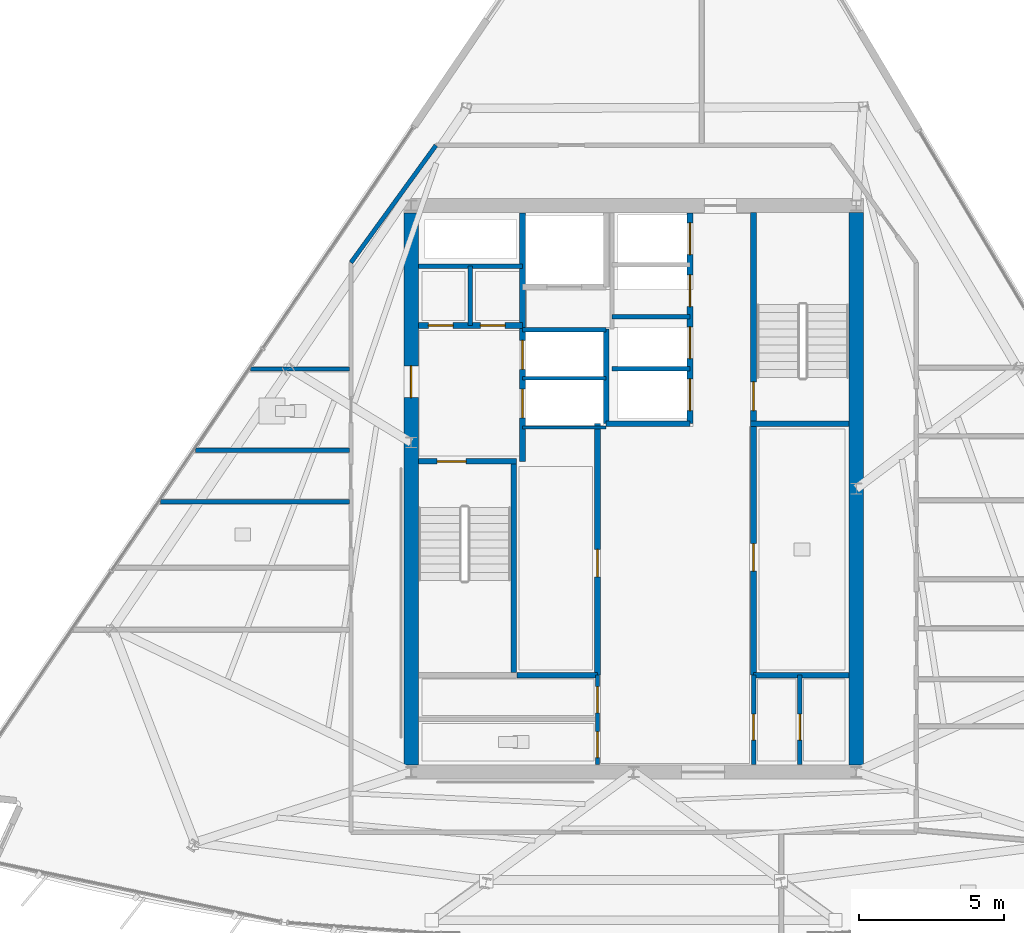
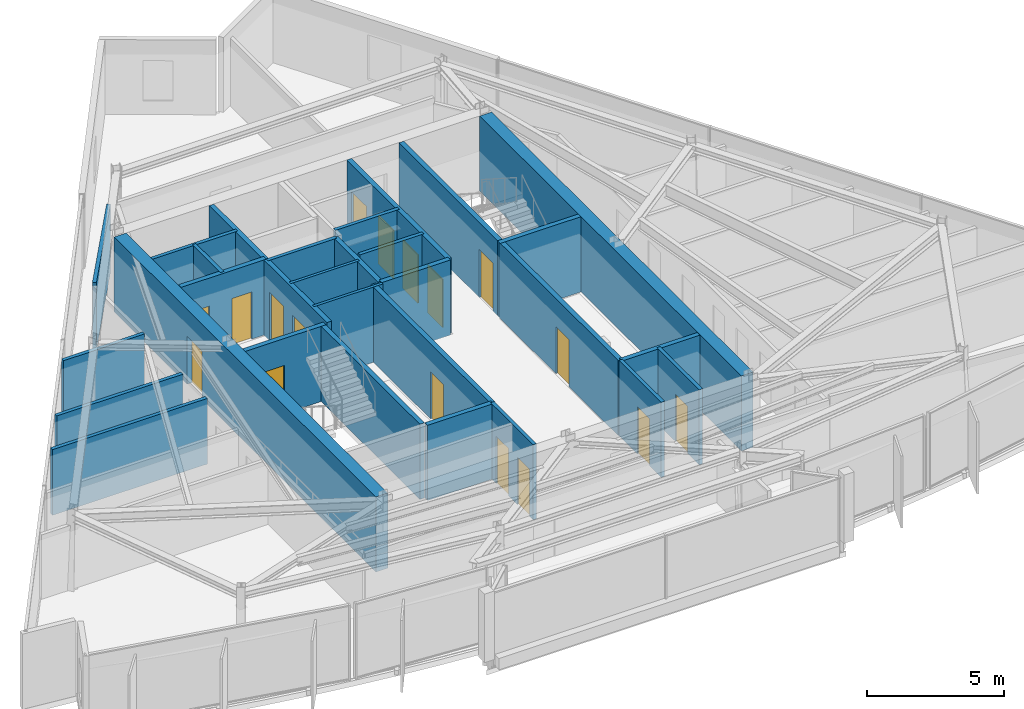
# One storey, part 7 of 13: 29 walls, 17 doors, 17 openings.
"""IFC4 building model written with IfcOpenShell, lengths in metres."""

from ifc_helpers import new_model, si_unit, direction, frame, frame_2d, origin, place, context, subcontext, project, spatial, rectangle, extrude, material, layer, layer_set, type_object, element, fill, save


model = new_model("IFC4")

# Units and contexts
model_context = context("Model", 3, precision=1e-05, world=origin(), true_north=direction((0.0, 1.0)))
body_context = subcontext(model_context, "Body", "Model", "MODEL_VIEW")
ifc_project = project(units=[si_unit("LENGTHUNIT", "METRE"), si_unit("AREAUNIT", "SQUARE_METRE"), si_unit("VOLUMEUNIT", "CUBIC_METRE"), si_unit("PLANEANGLEUNIT", "RADIAN"), si_unit("MASSUNIT", "GRAM", prefix="KILO")], contexts=[model_context])

# Site, building, storey
site_placement = place(None, origin())
site = spatial("IfcSite", under=ifc_project, at=site_placement, CompositionType="ELEMENT")
building_placement = place(site_placement, origin())
building = spatial("IfcBuilding", under=site, at=building_placement, Name="Savorim Split Tower", CompositionType="ELEMENT")
storey_placement = place(building_placement, frame((0.0, 0.0, 283.199951171875)))
storey = spatial("IfcBuildingStorey", under=building, at=storey_placement, Name="L75", CompositionType="ELEMENT", Elevation=283.199951171875)

# Wall, opening, door
ifc_material_1 = material(Name="Concrete C60/75", Category="concrete")
ifc_layer_1 = layer(ifc_material_1, 0.5)
ifc_layer_set_1 = layer_set([ifc_layer_1], Name="WAL-COR-SH500")
wall_type_1 = type_object("IfcWallType", Name="WAL-COR-SH500", PredefinedType="SHEAR", material=ifc_layer_set_1)
wall_1_placement = place(storey_placement, frame((-7.699951171875, -9.14990234375, 0.0), z_axis=(0.0, 0.0, 1.0), x_axis=(0.0, 1.0, 0.0)))
wall_1 = element("IfcWall", 1, at=wall_1_placement, inside=storey, type_object=wall_type_1, Name="L75 Offset Core West Shear Wall", PredefinedType="SHEAR", context=body_context, shape_type="SweptSolid", body=[
    extrude(rectangle(XDim=19.099853515625, YDim=0.5, at=frame_2d((9.5498046875, 0.0))), origin(), (0.0, 0.0, 1.0), 3.35009765625),
])
opening_1_placement = place(wall_1_placement, frame((12.699951171875, 0.0, 0.0)))
opening_1 = element("IfcOpeningElement", 2, at=opening_1_placement, cuts=wall_1, Name="Opening DI-03", PredefinedType="OPENING", context=body_context, shape_type="SweptSolid", body=[
    extrude(rectangle(XDim=1.10009765625, YDim=2.14990234375, at=frame_2d((0.550048828125, 1.074951171875))), frame((0.0, 0.260009765625, 0.0), z_axis=(0.0, -1.0, 0.0), x_axis=(1.0, 0.0, 0.0)), (0.0, 0.0, 1.0), 0.52001953125),
])
ifc_material_2 = material(Name="Timber Fire Door Leaf", Category="wood")
door_type_1 = type_object("IfcDoorType", Name="DOR-FIR-1100", OperationType="NOTDEFINED", PredefinedType="DOOR", material=ifc_material_2)
door_1_placement = place(opening_1_placement, origin())
door_1 = element("IfcDoor", 3, at=door_1_placement, inside=storey, type_object=door_type_1, Name="DOR-L75-COR-FFLOB - L75 Firefighting Lobby Corridor Door", OperationType="SINGLE_SWING_LEFT", OverallHeight=2.14990234375, OverallWidth=1.10009765625, PredefinedType="DOOR", context=body_context, shape_type="SweptSolid", body=[
    extrude(rectangle(XDim=1.10009765625, YDim=2.14990234375, at=frame_2d((0.550048828125, 1.074951171875))), frame((0.0, 0.02490234375, 0.0), z_axis=(0.0, -1.0, 0.0), x_axis=(1.0, 0.0, 0.0)), (0.0, 0.0, 1.0), 0.050048828125),
])
fill(opening_1, door_1)

# Wall
wall_2_placement = place(storey_placement, frame((7.699951171875, 9.949951171875, 0.0), z_axis=(0.0, 0.0, 1.0), x_axis=(0.0, -1.0, 0.0)))
element("IfcWall", 4, at=wall_2_placement, inside=storey, type_object=wall_type_1, Name="L75 Offset Core East Shear Wall", PredefinedType="SHEAR", context=body_context, shape_type="SweptSolid", body=[
    extrude(rectangle(XDim=19.099853515625, YDim=0.5, at=frame_2d((9.5498046875, 0.0))), origin(), (0.0, 0.0, 1.0), 3.35009765625),
])

# Wall, opening, door
ifc_material_3 = material(Name="Concrete C50/60", Category="concrete")
ifc_layer_2 = layer(ifc_material_3, 0.199951171875)
ifc_layer_set_2 = layer_set([ifc_layer_2], Name="WAL-INT-RC200")
wall_type_2 = type_object("IfcWallType", Name="WAL-INT-RC200", PredefinedType="SOLIDWALL", material=ifc_layer_set_2)
wall_3_placement = place(storey_placement, frame((-7.449951171875, 1.35009765625, 0.0), z_axis=(0.0, 0.0, 1.0), x_axis=(1.0, 0.0, 0.0)))
wall_3 = element("IfcWall", 5, at=wall_3_placement, inside=storey, type_object=wall_type_2, Name="L75 Structural Shaft Wall W-L75-CR01", PredefinedType="SOLIDWALL", context=body_context, shape_type="SweptSolid", body=[
    extrude(rectangle(XDim=3.39990234375, YDim=0.199951171875, at=frame_2d((1.699951171875, 0.0))), origin(), (0.0, 0.0, 1.0), 3.35009765625),
])
opening_2_placement = place(wall_3_placement, frame((0.64990234375, 0.0, 0.0)))
opening_2 = element("IfcOpeningElement", 6, at=opening_2_placement, cuts=wall_3, Name="Opening DI-04", PredefinedType="OPENING", context=body_context, shape_type="SweptSolid", body=[
    extrude(rectangle(XDim=1.0, YDim=2.14990234375, at=frame_2d((0.5, 1.074951171875))), frame((0.0, 0.10986328125, 0.0), z_axis=(0.0, -1.0, 0.0), x_axis=(1.0, 0.0, 0.0)), (0.0, 0.0, 1.0), 0.219970703125),
])
door_type_2 = type_object("IfcDoorType", Name="DOR-FIR-1000", OperationType="NOTDEFINED", PredefinedType="DOOR", material=ifc_material_2)
door_2_placement = place(opening_2_placement, origin())
door_2 = element("IfcDoor", 7, at=door_2_placement, inside=storey, type_object=door_type_2, Name="DR-L75-ST1 - L75 Stair ST-1 Enclosure Door", OperationType="SINGLE_SWING_LEFT", OverallHeight=2.14990234375, OverallWidth=1.0, PredefinedType="DOOR", context=body_context, shape_type="SweptSolid", body=[
    extrude(rectangle(XDim=1.0, YDim=2.14990234375, at=frame_2d((0.5, 1.074951171875))), frame((0.0, 0.02490234375, 0.0), z_axis=(0.0, -1.0, 0.0), x_axis=(1.0, 0.0, 0.0)), (0.0, 0.0, 1.0), 0.050048828125),
])
fill(opening_2, door_2)

# Wall
wall_4_placement = place(storey_placement, frame((-4.14990234375, -5.949951171875, 0.0), z_axis=(0.0, 0.0, 1.0), x_axis=(0.0, 1.0, 0.0)))
element("IfcWall", 8, at=wall_4_placement, inside=storey, type_object=wall_type_2, Name="L75 Structural Shaft Wall W-L75-CR02", PredefinedType="SOLIDWALL", context=body_context, shape_type="SweptSolid", body=[
    extrude(rectangle(XDim=7.199951171875, YDim=0.199951171875, at=frame_2d((3.60009765625, 0.0))), origin(), (0.0, 0.0, 1.0), 3.35009765625),
])

# Wall, openings, doors
wall_5_placement = place(storey_placement, frame((-3.85009765625, 1.35009765625, 0.0), z_axis=(0.0, 0.0, 1.0), x_axis=(0.0, 1.0, 0.0)))
wall_5 = element("IfcWall", 9, at=wall_5_placement, inside=storey, type_object=wall_type_2, Name="L75 Partition W-L75-CR03", PredefinedType="SOLIDWALL", context=body_context, shape_type="SweptSolid", body=[
    extrude(rectangle(XDim=8.594970703125, YDim=0.199951171875, at=frame_2d((4.29736328125, 0.0))), origin(), (0.0, 0.0, 1.0), 3.35009765625),
])
opening_3_placement = place(wall_5_placement, frame((1.5, 0.0, 0.0)))
opening_3 = element("IfcOpeningElement", 10, at=opening_3_placement, cuts=wall_5, Name="Opening LD-FFL", PredefinedType="OPENING", context=body_context, shape_type="SweptSolid", body=[
    extrude(rectangle(XDim=1.0, YDim=2.14990234375, at=frame_2d((0.5, 1.074951171875))), frame((0.0, 0.10986328125, 0.0), z_axis=(0.0, -1.0, 0.0), x_axis=(1.0, 0.0, 0.0)), (0.0, 0.0, 1.0), 0.219970703125),
])
opening_4_placement = place(wall_5_placement, frame((3.179931640625, 0.0, 0.0)))
opening_4 = element("IfcOpeningElement", 11, at=opening_4_placement, cuts=wall_5, Name="Opening LD-FFL", PredefinedType="OPENING", context=body_context, shape_type="SweptSolid", body=[
    extrude(rectangle(XDim=1.0, YDim=2.14990234375, at=frame_2d((0.5, 1.074951171875))), frame((0.0, 0.10986328125, 0.0), z_axis=(0.0, -1.0, 0.0), x_axis=(1.0, 0.0, 0.0)), (0.0, 0.0, 1.0), 0.219970703125),
])
ifc_material_4 = material(Name="Charcoal Anodised Aluminium", Category="aluminium")
door_type_3 = type_object("IfcDoorType", Name="DOR-SLD-LD1000", OperationType="NOTDEFINED", PredefinedType="DOOR", material=ifc_material_4)
door_3_placement = place(opening_3_placement, origin())
door_3 = element("IfcDoor", 12, at=door_3_placement, inside=storey, type_object=door_type_3, Name="DR-L75-LD-FFL1 - L75 Firefighting Lift FFL-1 Sliding Landing Door", OperationType="DOUBLE_DOOR_SLIDING", OverallHeight=2.14990234375, OverallWidth=1.0, PredefinedType="DOOR", context=body_context, shape_type="SweptSolid", body=[
    extrude(rectangle(XDim=1.0, YDim=2.14990234375, at=frame_2d((0.5, 1.074951171875))), frame((0.0, 0.02490234375, 0.0), z_axis=(0.0, -1.0, 0.0), x_axis=(1.0, 0.0, 0.0)), (0.0, 0.0, 1.0), 0.050048828125),
])
fill(opening_3, door_3)
door_4_placement = place(opening_4_placement, origin())
door_4 = element("IfcDoor", 13, at=door_4_placement, inside=storey, type_object=door_type_3, Name="DR-L75-LD-FFL2 - L75 Firefighting Lift FFL-2 Sliding Landing Door", OperationType="DOUBLE_DOOR_SLIDING", OverallHeight=2.14990234375, OverallWidth=1.0, PredefinedType="DOOR", context=body_context, shape_type="SweptSolid", body=[
    extrude(rectangle(XDim=1.0, YDim=2.14990234375, at=frame_2d((0.5, 1.074951171875))), frame((0.0, 0.02490234375, 0.0), z_axis=(0.0, -1.0, 0.0), x_axis=(1.0, 0.0, 0.0)), (0.0, 0.0, 1.0), 0.050048828125),
])
fill(opening_4, door_4)

wall_6_placement = place(storey_placement, frame((-7.445068359375, 6.050048828125, 0.0), z_axis=(0.0, 0.0, 1.0), x_axis=(1.0, 0.0, 0.0)))
wall_6 = element("IfcWall", 14, at=wall_6_placement, inside=storey, type_object=wall_type_2, Name="L75 Partition W-L75-CR04", PredefinedType="SOLIDWALL", context=body_context, shape_type="SweptSolid", body=[
    extrude(rectangle(XDim=3.594970703125, YDim=0.199951171875, at=frame_2d((1.79736328125, 0.0))), origin(), (0.0, 0.0, 1.0), 3.35009765625),
])
opening_5_placement = place(wall_6_placement, frame((0.344970703125, 0.0, 0.0)))
opening_5 = element("IfcOpeningElement", 15, at=opening_5_placement, cuts=wall_6, Name="Opening DI-12", PredefinedType="OPENING", context=body_context, shape_type="SweptSolid", body=[
    extrude(rectangle(XDim=0.85009765625, YDim=2.10009765625, at=frame_2d((0.425048828125, 1.050048828125))), frame((0.0, 0.10986328125, 0.0), z_axis=(0.0, -1.0, 0.0), x_axis=(1.0, 0.0, 0.0)), (0.0, 0.0, 1.0), 0.219970703125),
])
opening_6_placement = place(wall_6_placement, frame((2.14501953125, 0.0, 0.0)))
opening_6 = element("IfcOpeningElement", 16, at=opening_6_placement, cuts=wall_6, Name="Opening DI-12", PredefinedType="OPENING", context=body_context, shape_type="SweptSolid", body=[
    extrude(rectangle(XDim=0.85009765625, YDim=2.10009765625, at=frame_2d((0.425048828125, 1.050048828125))), frame((0.0, 0.10986328125, 0.0), z_axis=(0.0, -1.0, 0.0), x_axis=(1.0, 0.0, 0.0)), (0.0, 0.0, 1.0), 0.219970703125),
])
ifc_material_5 = material(Name="Galvanised Painted Steel Balustrade", Category="steel")
door_type_4 = type_object("IfcDoorType", Name="DOR-RIS-850", OperationType="NOTDEFINED", PredefinedType="DOOR", material=ifc_material_5)
door_5_placement = place(opening_5_placement, origin())
door_5 = element("IfcDoor", 17, at=door_5_placement, inside=storey, type_object=door_type_4, Name="DR-L75-ELR - L75 Electrical Riser Access Door", OperationType="SINGLE_SWING_RIGHT", OverallHeight=2.10009765625, OverallWidth=0.85009765625, PredefinedType="DOOR", context=body_context, shape_type="SweptSolid", body=[
    extrude(rectangle(XDim=0.85009765625, YDim=2.10009765625, at=frame_2d((0.425048828125, 1.050048828125))), frame((0.0, 0.02490234375, 0.0), z_axis=(0.0, -1.0, 0.0), x_axis=(1.0, 0.0, 0.0)), (0.0, 0.0, 1.0), 0.050048828125),
])
fill(opening_5, door_5)
door_6_placement = place(opening_6_placement, origin())
door_6 = element("IfcDoor", 18, at=door_6_placement, inside=storey, type_object=door_type_4, Name="DR-L75-TLR - L75 Telecom Riser Access Door", OperationType="SINGLE_SWING_LEFT", OverallHeight=2.10009765625, OverallWidth=0.85009765625, PredefinedType="DOOR", context=body_context, shape_type="SweptSolid", body=[
    extrude(rectangle(XDim=0.85009765625, YDim=2.10009765625, at=frame_2d((0.425048828125, 1.050048828125))), frame((0.0, 0.02490234375, 0.0), z_axis=(0.0, -1.0, 0.0), x_axis=(1.0, 0.0, 0.0)), (0.0, 0.0, 1.0), 0.050048828125),
])
fill(opening_6, door_6)

# Wall, opening, door
wall_7_placement = place(storey_placement, frame((4.14990234375, 2.75, 0.0), z_axis=(0.0, 0.0, 1.0), x_axis=(0.0, 1.0, 0.0)))
wall_7 = element("IfcWall", 19, at=wall_7_placement, inside=storey, type_object=wall_type_2, Name="L75 Structural Shaft Wall W-L75-CR07", PredefinedType="SOLIDWALL", context=body_context, shape_type="SweptSolid", body=[
    extrude(rectangle(XDim=7.199951171875, YDim=0.199951171875, at=frame_2d((3.60009765625, 0.0))), origin(), (0.0, 0.0, 1.0), 3.35009765625),
])
opening_7_placement = place(wall_7_placement, frame((0.35009765625, 0.0, 0.0)))
opening_7 = element("IfcOpeningElement", 20, at=opening_7_placement, cuts=wall_7, Name="Opening DI-04", PredefinedType="OPENING", context=body_context, shape_type="SweptSolid", body=[
    extrude(rectangle(XDim=1.0, YDim=2.14990234375, at=frame_2d((0.5, 1.074951171875))), frame((0.0, 0.10986328125, 0.0), z_axis=(0.0, -1.0, 0.0), x_axis=(1.0, 0.0, 0.0)), (0.0, 0.0, 1.0), 0.219970703125),
])
door_7_placement = place(opening_7_placement, origin())
door_7 = element("IfcDoor", 21, at=door_7_placement, inside=storey, type_object=door_type_2, Name="DR-L75-ST2 - L75 Stair ST-2 Enclosure Door", OperationType="SINGLE_SWING_RIGHT", OverallHeight=2.14990234375, OverallWidth=1.0, PredefinedType="DOOR", context=body_context, shape_type="SweptSolid", body=[
    extrude(rectangle(XDim=1.0, YDim=2.14990234375, at=frame_2d((0.5, 1.074951171875))), frame((0.0, 0.02490234375, 0.0), z_axis=(0.0, -1.0, 0.0), x_axis=(1.0, 0.0, 0.0)), (0.0, 0.0, 1.0), 0.050048828125),
])
fill(opening_7, door_7)

# Walls
wall_8_placement = place(storey_placement, frame((4.050048828125, 2.64990234375, 0.0), z_axis=(0.0, 0.0, 1.0), x_axis=(1.0, 0.0, 0.0)))
element("IfcWall", 22, at=wall_8_placement, inside=storey, type_object=wall_type_2, Name="L75 Structural Shaft Wall W-L75-CR08", PredefinedType="SOLIDWALL", context=body_context, shape_type="SweptSolid", body=[
    extrude(rectangle(XDim=3.39990234375, YDim=0.199951171875, at=frame_2d((1.699951171875, 0.0))), origin(), (0.0, 0.0, 1.0), 3.35009765625),
])
wall_9_placement = place(storey_placement, frame((-0.949951171875, 2.64990234375, 0.0), z_axis=(0.0, 0.0, 1.0), x_axis=(0.0, 1.0, 0.0)))
element("IfcWall", 23, at=wall_9_placement, inside=storey, type_object=wall_type_2, Name="L75 Partition W-L75-FFLW", PredefinedType="SOLIDWALL", context=body_context, shape_type="SweptSolid", body=[
    extrude(rectangle(XDim=3.27001953125, YDim=0.199951171875, at=frame_2d((1.635009765625, 0.0))), origin(), (0.0, 0.0, 1.0), 3.35009765625),
])

# Wall, opening, door
wall_10_placement = place(storey_placement, frame((4.14990234375, -6.050048828125, 0.0), z_axis=(0.0, 0.0, 1.0), x_axis=(0.0, 1.0, 0.0)))
wall_10 = element("IfcWall", 24, at=wall_10_placement, inside=storey, type_object=wall_type_2, Name="L75 Partition W-L75-B1FRONT", PredefinedType="SOLIDWALL", context=body_context, shape_type="SweptSolid", body=[
    extrude(rectangle(XDim=8.699951171875, YDim=0.199951171875, at=frame_2d((4.35009765625, 0.0))), origin(), (0.0, 0.0, 1.0), 3.35009765625),
])
opening_8_placement = place(wall_10_placement, frame((3.60009765625, 0.0, 0.0)))
opening_8 = element("IfcOpeningElement", 25, at=opening_8_placement, cuts=wall_10, Name="Opening DI-05", PredefinedType="OPENING", context=body_context, shape_type="SweptSolid", body=[
    extrude(rectangle(XDim=0.949951171875, YDim=2.10009765625, at=frame_2d((0.47509765625, 1.050048828125))), frame((0.0, 0.10986328125, 0.0), z_axis=(0.0, -1.0, 0.0), x_axis=(1.0, 0.0, 0.0)), (0.0, 0.0, 1.0), 0.219970703125),
])
door_type_5 = type_object("IfcDoorType", Name="DOR-FIR-950", OperationType="NOTDEFINED", PredefinedType="DOOR", material=ifc_material_2)
door_8_placement = place(opening_8_placement, origin())
door_8 = element("IfcDoor", 26, at=door_8_placement, inside=storey, type_object=door_type_5, Name="DR-L75-LV7B1 - L75 Community Laundry Room Door", OperationType="SINGLE_SWING_RIGHT", OverallHeight=2.10009765625, OverallWidth=0.949951171875, PredefinedType="DOOR", context=body_context, shape_type="SweptSolid", body=[
    extrude(rectangle(XDim=0.949951171875, YDim=2.10009765625, at=frame_2d((0.47509765625, 1.050048828125))), frame((0.0, 0.02490234375, 0.0), z_axis=(0.0, -1.0, 0.0), x_axis=(1.0, 0.0, 0.0)), (0.0, 0.0, 1.0), 0.050048828125),
])
fill(opening_8, door_8)

wall_11_placement = place(storey_placement, frame((-1.25, -6.050048828125, 0.0), z_axis=(0.0, 0.0, 1.0), x_axis=(0.0, 1.0, 0.0)))
wall_11 = element("IfcWall", 27, at=wall_11_placement, inside=storey, type_object=wall_type_2, Name="L75 Partition W-L75-B2FRONT", PredefinedType="SOLIDWALL", context=body_context, shape_type="SweptSolid", body=[
    extrude(rectangle(XDim=8.699951171875, YDim=0.199951171875, at=frame_2d((4.35009765625, 0.0))), origin(), (0.0, 0.0, 1.0), 3.35009765625),
])
opening_9_placement = place(wall_11_placement, frame((3.39990234375, 0.0, 0.0)))
opening_9 = element("IfcOpeningElement", 28, at=opening_9_placement, cuts=wall_11, Name="Opening DI-05", PredefinedType="OPENING", context=body_context, shape_type="SweptSolid", body=[
    extrude(rectangle(XDim=0.949951171875, YDim=2.10009765625, at=frame_2d((0.47509765625, 1.050048828125))), frame((0.0, 0.10986328125, 0.0), z_axis=(0.0, -1.0, 0.0), x_axis=(1.0, 0.0, 0.0)), (0.0, 0.0, 1.0), 0.219970703125),
])
door_9_placement = place(opening_9_placement, origin())
door_9 = element("IfcDoor", 29, at=door_9_placement, inside=storey, type_object=door_type_5, Name="DR-L75-LV7B2 - L75 Quiet Study Room Door", OperationType="SINGLE_SWING_LEFT", OverallHeight=2.10009765625, OverallWidth=0.949951171875, PredefinedType="DOOR", context=body_context, shape_type="SweptSolid", body=[
    extrude(rectangle(XDim=0.949951171875, YDim=2.10009765625, at=frame_2d((0.47509765625, 1.050048828125))), frame((0.0, 0.02490234375, 0.0), z_axis=(0.0, -1.0, 0.0), x_axis=(1.0, 0.0, 0.0)), (0.0, 0.0, 1.0), 0.050048828125),
])
fill(opening_9, door_9)

# Wall, openings, doors
wall_12_placement = place(storey_placement, frame((1.949951171875, 2.64990234375, 0.0), z_axis=(0.0, 0.0, 1.0), x_axis=(0.0, 1.0, 0.0)))
wall_12 = element("IfcWall", 30, at=wall_12_placement, inside=storey, type_object=wall_type_2, Name="L75 Partition W-L75-B3FRONT", PredefinedType="SOLIDWALL", context=body_context, shape_type="SweptSolid", body=[
    extrude(rectangle(XDim=7.295166015625, YDim=0.199951171875, at=frame_2d((3.6474609375, 0.0))), origin(), (0.0, 0.0, 1.0), 3.35009765625),
])
opening_10_placement = place(wall_12_placement, frame((0.449951171875, 0.0, 0.0)))
opening_10 = element("IfcOpeningElement", 31, at=opening_10_placement, cuts=wall_12, Name="Opening LD-03", PredefinedType="OPENING", context=body_context, shape_type="SweptSolid", body=[
    extrude(rectangle(XDim=1.10009765625, YDim=2.14990234375, at=frame_2d((0.550048828125, 1.074951171875))), frame((0.0, 0.10986328125, 0.0), z_axis=(0.0, -1.0, 0.0), x_axis=(1.0, 0.0, 0.0)), (0.0, 0.0, 1.0), 0.219970703125),
])
opening_11_placement = place(wall_12_placement, frame((2.25, 0.0, 0.0)))
opening_11 = element("IfcOpeningElement", 32, at=opening_11_placement, cuts=wall_12, Name="Opening LD-03", PredefinedType="OPENING", context=body_context, shape_type="SweptSolid", body=[
    extrude(rectangle(XDim=1.10009765625, YDim=2.14990234375, at=frame_2d((0.550048828125, 1.074951171875))), frame((0.0, 0.10986328125, 0.0), z_axis=(0.0, -1.0, 0.0), x_axis=(1.0, 0.0, 0.0)), (0.0, 0.0, 1.0), 0.219970703125),
])
opening_12_placement = place(wall_12_placement, frame((4.050048828125, 0.0, 0.0)))
opening_12 = element("IfcOpeningElement", 33, at=opening_12_placement, cuts=wall_12, Name="Opening LD-03", PredefinedType="OPENING", context=body_context, shape_type="SweptSolid", body=[
    extrude(rectangle(XDim=1.10009765625, YDim=2.14990234375, at=frame_2d((0.550048828125, 1.074951171875))), frame((0.0, 0.10986328125, 0.0), z_axis=(0.0, -1.0, 0.0), x_axis=(1.0, 0.0, 0.0)), (0.0, 0.0, 1.0), 0.219970703125),
])
opening_13_placement = place(wall_12_placement, frame((5.85009765625, 0.0, 0.0)))
opening_13 = element("IfcOpeningElement", 34, at=opening_13_placement, cuts=wall_12, Name="Opening LD-03", PredefinedType="OPENING", context=body_context, shape_type="SweptSolid", body=[
    extrude(rectangle(XDim=1.10009765625, YDim=2.14990234375, at=frame_2d((0.550048828125, 1.074951171875))), frame((0.0, 0.10986328125, 0.0), z_axis=(0.0, -1.0, 0.0), x_axis=(1.0, 0.0, 0.0)), (0.0, 0.0, 1.0), 0.219970703125),
])
door_type_6 = type_object("IfcDoorType", Name="DOR-SLD-LDH1100", OperationType="NOTDEFINED", PredefinedType="DOOR", material=ifc_material_4)
door_10_placement = place(opening_10_placement, origin())
door_10 = element("IfcDoor", 35, at=door_10_placement, inside=storey, type_object=door_type_6, Name="DR-L75-LD-PLH1 - L75 Lift PL-H1 Sliding Landing Door", OperationType="DOUBLE_DOOR_SLIDING", OverallHeight=2.14990234375, OverallWidth=1.10009765625, PredefinedType="DOOR", context=body_context, shape_type="SweptSolid", body=[
    extrude(rectangle(XDim=1.10009765625, YDim=2.14990234375, at=frame_2d((0.550048828125, 1.074951171875))), frame((0.0, 0.02490234375, 0.0), z_axis=(0.0, -1.0, 0.0), x_axis=(1.0, 0.0, 0.0)), (0.0, 0.0, 1.0), 0.050048828125),
])
fill(opening_10, door_10)
door_11_placement = place(opening_11_placement, origin())
door_11 = element("IfcDoor", 36, at=door_11_placement, inside=storey, type_object=door_type_6, Name="DR-L75-LD-PLH2 - L75 Lift PL-H2 Sliding Landing Door", OperationType="DOUBLE_DOOR_SLIDING", OverallHeight=2.14990234375, OverallWidth=1.10009765625, PredefinedType="DOOR", context=body_context, shape_type="SweptSolid", body=[
    extrude(rectangle(XDim=1.10009765625, YDim=2.14990234375, at=frame_2d((0.550048828125, 1.074951171875))), frame((0.0, 0.02490234375, 0.0), z_axis=(0.0, -1.0, 0.0), x_axis=(1.0, 0.0, 0.0)), (0.0, 0.0, 1.0), 0.050048828125),
])
fill(opening_11, door_11)
door_12_placement = place(opening_12_placement, origin())
door_12 = element("IfcDoor", 37, at=door_12_placement, inside=storey, type_object=door_type_6, Name="DR-L75-LD-PLH3 - L75 Lift PL-H3 Sliding Landing Door", OperationType="DOUBLE_DOOR_SLIDING", OverallHeight=2.14990234375, OverallWidth=1.10009765625, PredefinedType="DOOR", context=body_context, shape_type="SweptSolid", body=[
    extrude(rectangle(XDim=1.10009765625, YDim=2.14990234375, at=frame_2d((0.550048828125, 1.074951171875))), frame((0.0, 0.02490234375, 0.0), z_axis=(0.0, -1.0, 0.0), x_axis=(1.0, 0.0, 0.0)), (0.0, 0.0, 1.0), 0.050048828125),
])
fill(opening_12, door_12)
door_13_placement = place(opening_13_placement, origin())
door_13 = element("IfcDoor", 38, at=door_13_placement, inside=storey, type_object=door_type_6, Name="DR-L75-LD-PLH4 - L75 Lift PL-H4 Sliding Landing Door", OperationType="DOUBLE_DOOR_SLIDING", OverallHeight=2.14990234375, OverallWidth=1.10009765625, PredefinedType="DOOR", context=body_context, shape_type="SweptSolid", body=[
    extrude(rectangle(XDim=1.10009765625, YDim=2.14990234375, at=frame_2d((0.550048828125, 1.074951171875))), frame((0.0, 0.02490234375, 0.0), z_axis=(0.0, -1.0, 0.0), x_axis=(1.0, 0.0, 0.0)), (0.0, 0.0, 1.0), 0.050048828125),
])
fill(opening_13, door_13)

# Walls
wall_13_placement = place(storey_placement, frame((-0.949951171875, 2.64990234375, 0.0), z_axis=(0.0, 0.0, 1.0), x_axis=(1.0, 0.0, 0.0)))
element("IfcWall", 39, at=wall_13_placement, inside=storey, type_object=wall_type_2, Name="L75 Partition W-L75-B3SOUTH", PredefinedType="SOLIDWALL", context=body_context, shape_type="SweptSolid", body=[
    extrude(rectangle(XDim=2.89990234375, YDim=0.199951171875, at=frame_2d((1.449951171875, 0.0))), origin(), (0.0, 0.0, 1.0), 3.35009765625),
])
wall_14_placement = place(storey_placement, frame((-4.0400390625, -6.050048828125, 0.0), z_axis=(0.0, 0.0, 1.0), x_axis=(1.0, 0.0, 0.0)))
element("IfcWall", 40, at=wall_14_placement, inside=storey, type_object=wall_type_2, Name="L75 Partition W-L75-KSEP-W2", PredefinedType="SOLIDWALL", context=body_context, shape_type="SweptSolid", body=[
    extrude(rectangle(XDim=2.7900390625, YDim=0.199951171875, at=frame_2d((1.39501953125, 0.0))), origin(), (0.0, 0.0, 1.0), 3.35009765625),
])
wall_15_placement = place(storey_placement, frame((4.14990234375, -6.050048828125, 0.0), z_axis=(0.0, 0.0, 1.0), x_axis=(1.0, 0.0, 0.0)))
element("IfcWall", 41, at=wall_15_placement, inside=storey, type_object=wall_type_2, Name="L75 Partition W-L75-KSEP-E", PredefinedType="SOLIDWALL", context=body_context, shape_type="SweptSolid", body=[
    extrude(rectangle(XDim=3.295166015625, YDim=0.199951171875, at=frame_2d((1.6474609375, 0.0))), origin(), (0.0, 0.0, 1.0), 3.35009765625),
])
ifc_material_6 = material(Name="Acoustic Gypsum Partition Board")
ifc_layer_3 = layer(ifc_material_6, 0.1201171875)
ifc_layer_set_3 = layer_set([ifc_layer_3], Name="WAL-PAR-120")
wall_type_3 = type_object("IfcWallType", Name="WAL-PAR-120", PredefinedType="PARTITIONING", material=ifc_layer_set_3)
for number, where, z_axis, x_axis, name in (
    (42, (-3.85009765625, 2.52001953125, 0.0), (0.0, 0.0, 1.0), (1.0, 0.0, 0.0), "L75 Partition W-L75-FFLD0"),
    (43, (-3.85009765625, 4.219970703125, 0.0), (0.0, 0.0, 1.0), (1.0, 0.0, 0.0), "L75 Partition W-L75-FFLD1"),
):
    element("IfcWall", number, at=place(storey_placement, frame(where, z_axis=z_axis, x_axis=x_axis)), inside=storey, type_object=wall_type_3, Name=name, PredefinedType="PARTITIONING", context=body_context, shape_type="SweptSolid", body=[
        extrude(rectangle(XDim=2.900146484375, YDim=0.1201171875, at=frame_2d((1.4501953125, 0.0))), origin(), (0.0, 0.0, 1.0), 3.35009765625),
    ])
ifc_layer_4 = layer(ifc_material_6, 0.14990234375)
ifc_layer_set_4 = layer_set([ifc_layer_4], Name="WAL-PAR-150")
wall_type_4 = type_object("IfcWallType", Name="WAL-PAR-150", PredefinedType="PARTITIONING", material=ifc_layer_set_4)
wall_16_placement = place(storey_placement, frame((-7.445068359375, 8.10009765625, 0.0), z_axis=(0.0, 0.0, 1.0), x_axis=(1.0, 0.0, 0.0)))
element("IfcWall", 44, at=wall_16_placement, inside=storey, type_object=wall_type_4, Name="L75 Partition W-L75-CR05", PredefinedType="PARTITIONING", context=body_context, shape_type="SweptSolid", body=[
    extrude(rectangle(XDim=3.594970703125, YDim=0.14990234375, at=frame_2d((1.79736328125, 0.0))), origin(), (0.0, 0.0, 1.0), 3.35009765625),
])
wall_17_placement = place(storey_placement, frame((-5.64990234375, 6.050048828125, 0.0), z_axis=(0.0, 0.0, 1.0), x_axis=(0.0, 1.0, 0.0)))
element("IfcWall", 45, at=wall_17_placement, inside=storey, type_object=wall_type_4, Name="L75 Partition W-L75-CR06", PredefinedType="PARTITIONING", context=body_context, shape_type="SweptSolid", body=[
    extrude(rectangle(XDim=2.050048828125, YDim=0.14990234375, at=frame_2d((1.02490234375, 0.0))), origin(), (0.0, 0.0, 1.0), 3.35009765625),
])
wall_18_placement = place(storey_placement, frame((-3.85009765625, 5.89990234375, 0.0), z_axis=(0.0, 0.0, 1.0), x_axis=(1.0, 0.0, 0.0)))
element("IfcWall", 46, at=wall_18_placement, inside=storey, type_object=wall_type_4, Name="L75 Partition W-L75-FFLD2", PredefinedType="PARTITIONING", context=body_context, shape_type="SweptSolid", body=[
    extrude(rectangle(XDim=2.900146484375, YDim=0.14990234375, at=frame_2d((1.4501953125, 0.0))), origin(), (0.0, 0.0, 1.0), 3.35009765625),
])
for number, where, z_axis, x_axis, name in (
    (47, (-0.75, 4.550048828125, 0.0), (0.0, 0.0, 1.0), (1.0, 0.0, 0.0), "L75 Partition W-L75-B3DIV1"),
    (48, (-0.75, 6.35009765625, 0.0), (0.0, 0.0, 1.0), (1.0, 0.0, 0.0), "L75 Partition W-L75-B3DIV2"),
):
    element("IfcWall", number, at=place(storey_placement, frame(where, z_axis=z_axis, x_axis=x_axis)), inside=storey, type_object=wall_type_4, Name=name, PredefinedType="PARTITIONING", context=body_context, shape_type="SweptSolid", body=[
        extrude(rectangle(XDim=2.699951171875, YDim=0.14990234375, at=frame_2d((1.35009765625, 0.0))), origin(), (0.0, 0.0, 1.0), 3.35009765625),
    ])

# Wall, openings, doors
wall_19_placement = place(storey_placement, frame((-1.25, -9.14501953125, 0.0), z_axis=(0.0, 0.0, 1.0), x_axis=(0.0, 1.0, 0.0)))
wall_19 = element("IfcWall", 49, at=wall_19_placement, inside=storey, type_object=wall_type_4, Name="L75 Partition W-L75-KLOB-W", PredefinedType="PARTITIONING", context=body_context, shape_type="SweptSolid", body=[
    extrude(rectangle(XDim=3.094970703125, YDim=0.14990234375, at=frame_2d((1.54736328125, 0.0))), origin(), (0.0, 0.0, 1.0), 3.35009765625),
])
opening_14_placement = place(wall_19_placement, frame((1.794921875, 0.0, 0.0)))
opening_14 = element("IfcOpeningElement", 50, at=opening_14_placement, cuts=wall_19, Name="Opening DI-06", PredefinedType="OPENING", context=body_context, shape_type="SweptSolid", body=[
    extrude(rectangle(XDim=0.89990234375, YDim=2.10009765625, at=frame_2d((0.449951171875, 1.050048828125))), frame((0.0, 0.0849609375, 0.0), z_axis=(0.0, -1.0, 0.0), x_axis=(1.0, 0.0, 0.0)), (0.0, 0.0, 1.0), 0.169921875),
])
opening_15_placement = place(wall_19_placement, frame((0.2451171875, 0.0, 0.0)))
opening_15 = element("IfcOpeningElement", 51, at=opening_15_placement, cuts=wall_19, Name="Opening DI-11", PredefinedType="OPENING", context=body_context, shape_type="SweptSolid", body=[
    extrude(rectangle(XDim=0.89990234375, YDim=2.10009765625, at=frame_2d((0.449951171875, 1.050048828125))), frame((0.0, 0.0849609375, 0.0), z_axis=(0.0, -1.0, 0.0), x_axis=(1.0, 0.0, 0.0)), (0.0, 0.0, 1.0), 0.169921875),
])
door_type_7 = type_object("IfcDoorType", Name="DOR-FIR-900", OperationType="NOTDEFINED", PredefinedType="DOOR", material=ifc_material_2)
door_14_placement = place(opening_14_placement, origin())
door_14 = element("IfcDoor", 52, at=door_14_placement, inside=storey, type_object=door_type_7, Name="DR-L75-K2CLN - L75 Cleaning Store Door", OperationType="SINGLE_SWING_LEFT", OverallHeight=2.10009765625, OverallWidth=0.89990234375, PredefinedType="DOOR", context=body_context, shape_type="SweptSolid", body=[
    extrude(rectangle(XDim=0.89990234375, YDim=2.10009765625, at=frame_2d((0.449951171875, 1.050048828125))), frame((0.0, 0.02490234375, 0.0), z_axis=(0.0, -1.0, 0.0), x_axis=(1.0, 0.0, 0.0)), (0.0, 0.0, 1.0), 0.050048828125),
])
fill(opening_14, door_14)
ifc_material_7 = material(Name="Oak Veneer Acoustic Door")
door_type_8 = type_object("IfcDoorType", Name="DOR-WC-900", OperationType="NOTDEFINED", PredefinedType="DOOR", material=ifc_material_7)
door_15_placement = place(opening_15_placement, origin())
door_15 = element("IfcDoor", 53, at=door_15_placement, inside=storey, type_object=door_type_8, Name="DR-L75-K2WC - L75 Core WC Door", OperationType="SINGLE_SWING_RIGHT", OverallHeight=2.10009765625, OverallWidth=0.89990234375, PredefinedType="DOOR", context=body_context, shape_type="SweptSolid", body=[
    extrude(rectangle(XDim=0.89990234375, YDim=2.10009765625, at=frame_2d((0.449951171875, 1.050048828125))), frame((0.0, 0.02490234375, 0.0), z_axis=(0.0, -1.0, 0.0), x_axis=(1.0, 0.0, 0.0)), (0.0, 0.0, 1.0), 0.050048828125),
])
fill(opening_15, door_15)

# Wall, opening, door
wall_20_placement = place(storey_placement, frame((4.14990234375, -9.14501953125, 0.0), z_axis=(0.0, 0.0, 1.0), x_axis=(0.0, 1.0, 0.0)))
wall_20 = element("IfcWall", 54, at=wall_20_placement, inside=storey, type_object=wall_type_4, Name="L75 Partition W-L75-KLOB-E", PredefinedType="PARTITIONING", context=body_context, shape_type="SweptSolid", body=[
    extrude(rectangle(XDim=3.094970703125, YDim=0.14990234375, at=frame_2d((1.54736328125, 0.0))), origin(), (0.0, 0.0, 1.0), 3.35009765625),
])
opening_16_placement = place(wall_20_placement, frame((0.844970703125, 0.0, 0.0)))
opening_16 = element("IfcOpeningElement", 55, at=opening_16_placement, cuts=wall_20, Name="Opening DI-06", PredefinedType="OPENING", context=body_context, shape_type="SweptSolid", body=[
    extrude(rectangle(XDim=0.89990234375, YDim=2.10009765625, at=frame_2d((0.449951171875, 1.050048828125))), frame((0.0, 0.0849609375, 0.0), z_axis=(0.0, -1.0, 0.0), x_axis=(1.0, 0.0, 0.0)), (0.0, 0.0, 1.0), 0.169921875),
])
door_16_placement = place(opening_16_placement, origin())
door_16 = element("IfcDoor", 56, at=door_16_placement, inside=storey, type_object=door_type_7, Name="DR-L75-K2PAN - L75 Vending Pantry Door", OperationType="SINGLE_SWING_LEFT", OverallHeight=2.10009765625, OverallWidth=0.89990234375, PredefinedType="DOOR", context=body_context, shape_type="SweptSolid", body=[
    extrude(rectangle(XDim=0.89990234375, YDim=2.10009765625, at=frame_2d((0.449951171875, 1.050048828125))), frame((0.0, 0.02490234375, 0.0), z_axis=(0.0, -1.0, 0.0), x_axis=(1.0, 0.0, 0.0)), (0.0, 0.0, 1.0), 0.050048828125),
])
fill(opening_16, door_16)

wall_21_placement = place(storey_placement, frame((5.75, -9.14501953125, 0.0), z_axis=(0.0, 0.0, 1.0), x_axis=(0.0, 1.0, 0.0)))
wall_21 = element("IfcWall", 57, at=wall_21_placement, inside=storey, type_object=wall_type_4, Name="L75 Partition W-L75-K2E", PredefinedType="PARTITIONING", context=body_context, shape_type="SweptSolid", body=[
    extrude(rectangle(XDim=3.094970703125, YDim=0.14990234375, at=frame_2d((1.54736328125, 0.0))), origin(), (0.0, 0.0, 1.0), 3.35009765625),
])
opening_17_placement = place(wall_21_placement, frame((0.844970703125, 0.0, 0.0)))
opening_17 = element("IfcOpeningElement", 58, at=opening_17_placement, cuts=wall_21, Name="Opening DI-06", PredefinedType="OPENING", context=body_context, shape_type="SweptSolid", body=[
    extrude(rectangle(XDim=0.89990234375, YDim=2.10009765625, at=frame_2d((0.449951171875, 1.050048828125))), frame((0.0, 0.0849609375, 0.0), z_axis=(0.0, -1.0, 0.0), x_axis=(1.0, 0.0, 0.0)), (0.0, 0.0, 1.0), 0.169921875),
])
door_17_placement = place(opening_17_placement, origin())
door_17 = element("IfcDoor", 59, at=door_17_placement, inside=storey, type_object=door_type_7, Name="DR-L75-K2REF - L75 Recycling Room Door", OperationType="SINGLE_SWING_RIGHT", OverallHeight=2.10009765625, OverallWidth=0.89990234375, PredefinedType="DOOR", context=body_context, shape_type="SweptSolid", body=[
    extrude(rectangle(XDim=0.89990234375, YDim=2.10009765625, at=frame_2d((0.449951171875, 1.050048828125))), frame((0.0, 0.02490234375, 0.0), z_axis=(0.0, -1.0, 0.0), x_axis=(1.0, 0.0, 0.0)), (0.0, 0.0, 1.0), 0.050048828125),
])
fill(opening_17, door_17)

# Walls
wall_22_placement = place(storey_placement, frame((-9.780029296875, 8.225830078125, 0.0), z_axis=(0.0, 0.0, 1.0), x_axis=(0.586956386413, 0.809618552436, 0.0)))
element("IfcWall", 60, at=wall_22_placement, inside=storey, type_object=wall_type_4, Name="L75 Partition W-L75-COR-02", PredefinedType="PARTITIONING", context=body_context, shape_type="SweptSolid", body=[
    extrude(rectangle(XDim=5.007568359375, YDim=0.14990234375, at=frame_2d((2.50390625, 0.0))), origin(), (0.0, 0.0, 1.0), 3.01513671875),
])
wall_23_placement = place(storey_placement, frame((-9.840087890625, 4.541259765625, 0.0), z_axis=(0.0, 0.0, 1.0), x_axis=(-1.0, 0.0, 0.0)))
element("IfcWall", 61, at=wall_23_placement, inside=storey, type_object=wall_type_4, Name="L75 Partition W-L75-PRAD09", PredefinedType="PARTITIONING", context=body_context, shape_type="SweptSolid", body=[
    extrude(rectangle(XDim=3.409423828125, YDim=0.14990234375, at=frame_2d((1.70458984375, 0.0))), origin(), (0.0, 0.0, 1.0), 3.01513671875),
])
wall_24_placement = place(storey_placement, frame((-9.840087890625, -0.0439453125, 0.0), z_axis=(0.0, 0.0, 1.0), x_axis=(-1.0, 0.0, 0.0)))
element("IfcWall", 62, at=wall_24_placement, inside=storey, type_object=wall_type_4, Name="L75 Partition W-L75-SUB01", PredefinedType="PARTITIONING", context=body_context, shape_type="SweptSolid", body=[
    extrude(rectangle(XDim=6.528564453125, YDim=0.14990234375, at=frame_2d((3.26416015625, 0.0))), origin(), (0.0, 0.0, 1.0), 2.925048828125),
])
wall_25_placement = place(storey_placement, frame((-9.840087890625, 1.734619140625, 0.0), z_axis=(0.0, 0.0, 1.0), x_axis=(-1.0, 0.0, 0.0)))
element("IfcWall", 63, at=wall_25_placement, inside=storey, type_object=wall_type_4, Name="L75 Partition W-L75-SUB09", PredefinedType="PARTITIONING", context=body_context, shape_type="SweptSolid", body=[
    extrude(rectangle(XDim=5.318603515625, YDim=0.14990234375, at=frame_2d((2.6591796875, 0.0))), origin(), (0.0, 0.0, 1.0), 2.925048828125),
])

save(model, "model.ifc")
